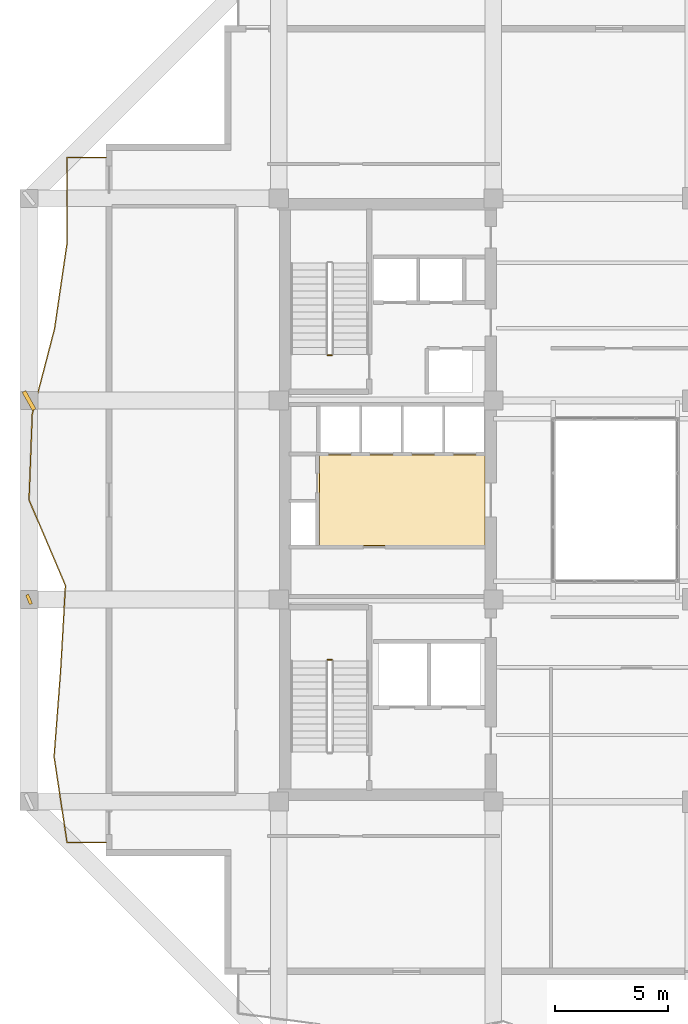
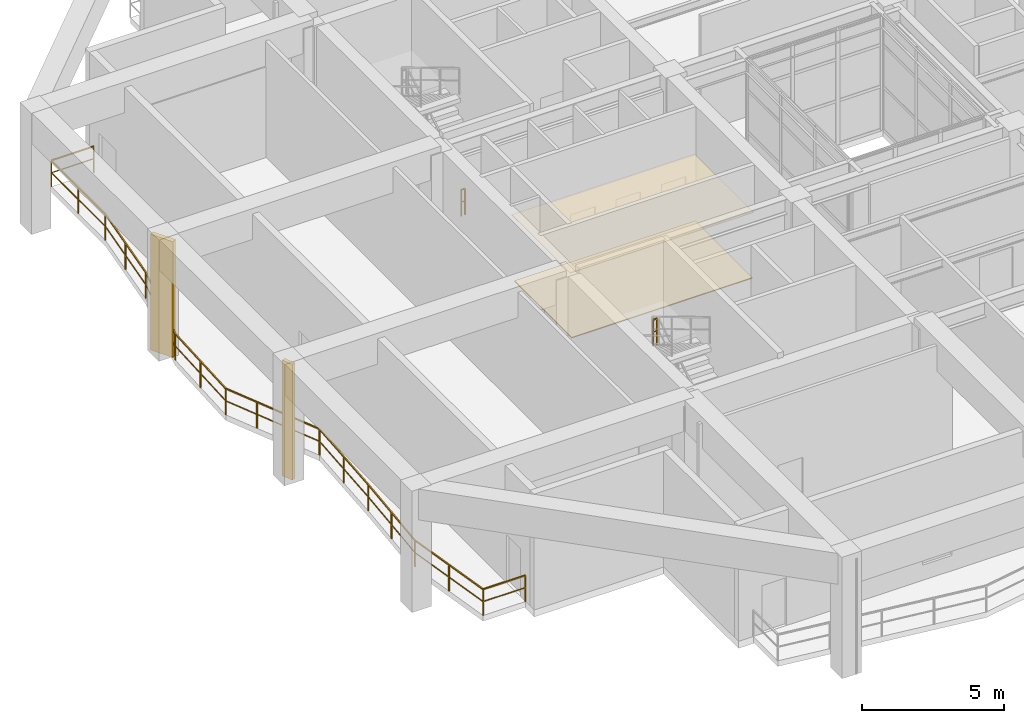
# One storey, part 10 of 13: 3 railings, 2 coverings, 2 shading devices.
"""IFC4 building model written with IfcOpenShell, lengths in metres."""

import ifcopenshell
import ifcopenshell.guid

model = None  # the IFC model being written
_history = None  # IfcOwnerHistory: only IFC2X3 demands one
_inside = {}  # id of a spatial element -> (the spatial element, [elements in it])
_under = {}  # id of a project, library or spatial element -> (it, [spatial elements below it])
_declared = {}  # id of a project -> (the project, [libraries it declares])
_typed = {}  # id of a type object -> (the type object, [elements of that type])
_made_of = {}  # id of a material, layer set ... -> (it, [elements and type objects made of it])


def new_model(schema):
    """Start an empty IFC model of exactly this schema.

    Asked for "IFC4X3", IfcOpenShell would pick the latest addendum, in which some entities
    have other attributes; the version numbers below select the first issue.
    IFC2X3 requires an IfcOwnerHistory on every rooted entity: one is made here for all.
    """
    global model, _history
    if schema == "IFC4X3":
        model = ifcopenshell.file(schema_version=(4, 3, 0, 0))
    else:
        model = ifcopenshell.file(schema=schema)
    _inside.clear()
    _under.clear()
    _declared.clear()
    _typed.clear()
    _made_of.clear()
    _history = None
    if model.schema == "IFC2X3":
        org = make("IfcOrganization", Name="unknown")
        user = make(
            "IfcPersonAndOrganization",
            ThePerson=make("IfcPerson", FamilyName="unknown"),
            TheOrganization=org,
        )
        app = make(
            "IfcApplication",
            ApplicationDeveloper=org,
            Version="unknown",
            ApplicationFullName="unknown",
            ApplicationIdentifier="unknown",
        )
        _history = make(
            "IfcOwnerHistory",
            OwningUser=user,
            OwningApplication=app,
            ChangeAction="ADDED",
            CreationDate=0,
        )
    return model


def make(cls, **values):
    """One entity of the class cls with the attributes given. An attribute that is None is left unset."""
    return model.create_entity(
        cls, **{name: value for name, value in values.items() if value is not None}
    )


def rooted(cls, **values):
    """An entity with a GlobalId (a new one), such as an element, a storey or a relation."""
    return make(cls, GlobalId=ifcopenshell.guid.new(), OwnerHistory=_history, **values)


def si_unit(unit_type, name, prefix=None):
    """IfcSIUnit, for example si_unit("LENGTHUNIT", "METRE", prefix="MILLI")."""
    return make("IfcSIUnit", UnitType=unit_type, Prefix=prefix, Name=name)


def assignment(units):
    """IfcUnitAssignment: the units of a project."""
    return None if units is None else make("IfcUnitAssignment", Units=units)


def point(xyz):
    """IfcCartesianPoint."""
    return None if xyz is None else make("IfcCartesianPoint", Coordinates=xyz)


def direction(xyz):
    """IfcDirection."""
    return None if xyz is None else make("IfcDirection", DirectionRatios=xyz)


def frame(location, z_axis=None, x_axis=None):
    """IfcAxis2Placement3D, a coordinate frame: its origin and axes. An axis left out is left unset."""
    return make(
        "IfcAxis2Placement3D",
        Location=point(location),
        Axis=direction(z_axis),
        RefDirection=direction(x_axis),
    )


def frame_2d(location, x_axis=None):
    """IfcAxis2Placement2D, a coordinate frame in the plane: its origin and x axis."""
    return make(
        "IfcAxis2Placement2D", Location=point(location), RefDirection=direction(x_axis)
    )


def origin():
    """The frame at (0, 0, 0) with its axes left unset."""
    return frame((0.0, 0.0, 0.0))


def origin_2d():
    """The frame at (0, 0) in the plane with its x axis left unset."""
    return frame_2d((0.0, 0.0))


def place(relative_to, where):
    """IfcLocalPlacement: puts the frame where relative to a parent placement (None: the world)."""
    return make(
        "IfcLocalPlacement", PlacementRelTo=relative_to, RelativePlacement=where
    )


def context(
    kind, dimensions, precision=None, world=None, true_north=None, identifier=None
):
    """IfcGeometricRepresentationContext, for example the 3D "Model" context."""
    return make(
        "IfcGeometricRepresentationContext",
        ContextIdentifier=identifier,
        ContextType=kind,
        CoordinateSpaceDimension=dimensions,
        Precision=precision,
        WorldCoordinateSystem=world,
        TrueNorth=true_north,
    )


def subcontext(parent, identifier, kind, view, scale=None):
    """IfcGeometricRepresentationSubContext, for example "Body" below "Model"."""
    return make(
        "IfcGeometricRepresentationSubContext",
        ContextIdentifier=identifier,
        ContextType=kind,
        ParentContext=parent,
        TargetScale=scale,
        TargetView=view,
    )


def project(units=None, contexts=None):
    """IfcProject with its units and contexts."""
    return rooted(
        "IfcProject",
        Name="project",
        RepresentationContexts=contexts,
        UnitsInContext=assignment(units),
    )


def spatial(cls, under=None, at=None, **own):
    """A site, building, storey or space (cls), placed at a placement, below another one or the project."""
    s = rooted(cls, ObjectPlacement=at, **own)
    if under is not None:
        _under.setdefault(under.id(), (under, []))[1].append(s)
    return s


def polyline(points):
    """IfcPolyline through the points."""
    return make("IfcPolyline", Points=[point(p) for p in points])


def profile(cls, at=None, kind="AREA", **sizes):
    """A parametric profile (cls). Its sizes go by their IFC names, for example OverallWidth=200.0."""
    return make(cls, ProfileType=kind, Position=at, **sizes)


def rectangle(**sizes):
    """IfcRectangleProfileDef."""
    return profile("IfcRectangleProfileDef", **sizes)


def outline(outer, holes=None, kind="AREA"):
    """IfcArbitraryClosedProfileDef: a profile drawn as a closed curve; with holes, ...WithVoids."""
    if holes is None:
        return make("IfcArbitraryClosedProfileDef", ProfileType=kind, OuterCurve=outer)
    return make(
        "IfcArbitraryProfileDefWithVoids",
        ProfileType=kind,
        OuterCurve=outer,
        InnerCurves=holes,
    )


def extrude(swept, where, along, depth):
    """IfcExtrudedAreaSolid: the profile swept, set in the frame where, extruded along a direction by depth."""
    return make(
        "IfcExtrudedAreaSolid",
        SweptArea=swept,
        Position=where,
        ExtrudedDirection=direction(along),
        Depth=depth,
    )


def shape(context_of_items, identifier, shape_type, items):
    """IfcShapeRepresentation: the items that make up one representation, for example the "Body"."""
    return make(
        "IfcShapeRepresentation",
        ContextOfItems=context_of_items,
        RepresentationIdentifier=identifier,
        RepresentationType=shape_type,
        Items=items,
    )


def material(Name=None, Category=None):
    """IfcMaterial."""
    return make("IfcMaterial", Name=Name, Category=Category)


def layer(
    of_material, thickness, ventilated=None, Name=None, Category=None, Priority=None
):
    """IfcMaterialLayer: one layer of a wall or slab, of a material (None: an air gap)."""
    return make(
        "IfcMaterialLayer",
        Material=of_material,
        LayerThickness=thickness,
        IsVentilated=ventilated,
        Name=Name,
        Category=Category,
        Priority=Priority,
    )


def layer_set(layers, Name=None):
    """IfcMaterialLayerSet."""
    return make("IfcMaterialLayerSet", MaterialLayers=layers, LayerSetName=Name)


def made_of(thing, what):
    """Note that an element or type object is made of a material, layer set ...; save() writes the relation."""
    if what is not None:
        _made_of.setdefault(what.id(), (what, []))[1].append(thing)
    return thing


def type_object(cls, material=None, **own):
    """A type object (cls), such as IfcWallType, which elements share."""
    return made_of(rooted(cls, **own), material)


def element(
    cls,
    number,
    at=None,
    inside=None,
    cuts=None,
    type_object=None,
    material=None,
    context=None,
    identifier="Body",
    shape_type=None,
    held_by="IfcProductDefinitionShape",
    body=None,
    shapes=None,
    **own,
):
    """One element of the class cls, such as IfcWall. Its Tag is "e" and its number.

    at: its placement. inside: the storey or other place that contains it. cuts: it is an
    opening in that element (IfcRelVoidsElement). A single representation is given by context,
    identifier, shape_type and body (its items); several are given by shapes. held_by: the class
    of the entity that holds the representations. save() writes the other relations.
    """
    e = rooted(cls, Tag="e%d" % number, ObjectPlacement=at, **own)
    if body is not None:
        shapes = [shape(context, identifier, shape_type, body)]
    if shapes is not None:
        e.Representation = make(held_by, Representations=shapes)
    if inside is not None:
        _inside.setdefault(inside.id(), (inside, []))[1].append(e)
    if cuts is not None:
        rooted(
            "IfcRelVoidsElement", RelatingBuildingElement=cuts, RelatedOpeningElement=e
        )
    if type_object is not None:
        _typed.setdefault(type_object.id(), (type_object, []))[1].append(e)
    return made_of(e, material)


def aggregate(whole, parts):
    """IfcRelAggregates: a whole, such as a stair, and the parts it consists of."""
    return rooted("IfcRelAggregates", RelatingObject=whole, RelatedObjects=parts)


def save(model, path):
    """Write the relations noted so far, then the file.

    IfcRelAggregates (storeys below a building ...), IfcRelContainedInSpatialStructure (elements
    in a storey), IfcRelDefinesByType, IfcRelAssociatesMaterial and IfcRelDeclares: one each for
    every whole, place, type object, material and project.
    """
    for whole, parts in _under.values():
        aggregate(whole, parts)
    for where, things in _inside.values():
        rooted(
            "IfcRelContainedInSpatialStructure",
            RelatedElements=things,
            RelatingStructure=where,
        )
    for kind, things in _typed.values():
        rooted("IfcRelDefinesByType", RelatedObjects=things, RelatingType=kind)
    for what, things in _made_of.values():
        rooted("IfcRelAssociatesMaterial", RelatedObjects=things, RelatingMaterial=what)
    for by, libraries in _declared.values():
        rooted("IfcRelDeclares", RelatingContext=by, RelatedDefinitions=libraries)
    model.write(path)


model = new_model("IFC4")

# Units and contexts
model_context = context("Model", 3, precision=1e-05, world=origin(), true_north=direction((0.0, 1.0)))
body_context = subcontext(model_context, "Body", "Model", "MODEL_VIEW")
ifc_project = project(units=[si_unit("LENGTHUNIT", "METRE"), si_unit("AREAUNIT", "SQUARE_METRE"), si_unit("VOLUMEUNIT", "CUBIC_METRE"), si_unit("PLANEANGLEUNIT", "RADIAN"), si_unit("MASSUNIT", "GRAM", prefix="KILO")], contexts=[model_context])

# Site, building, storey
site_placement = place(None, origin())
site = spatial("IfcSite", under=ifc_project, at=site_placement, CompositionType="ELEMENT")
building_placement = place(site_placement, origin())
building = spatial("IfcBuilding", under=site, at=building_placement, Name="Kundavana Baori Tower", CompositionType="ELEMENT")
storey_placement = place(building_placement, frame((0.0, 0.0, 208.89990234375)))
storey = spatial("IfcBuildingStorey", under=building, at=storey_placement, Name="L51", CompositionType="ELEMENT", Elevation=208.89990234375)

# Coverings
ifc_material_1 = material(Name="Honed Kota Stone and Terrazzo Flooring", Category="masonry")
ifc_layer_1 = layer(ifc_material_1, 0.0400390625, Name="COV-FLR-TERR-40")
ifc_layer_set_1 = layer_set([ifc_layer_1], Name="Honed Kota Stone and Terrazzo Flooring")
covering_type_1 = type_object("IfcCoveringType", Name="COV-FLR-TERR-40", PredefinedType="FLOORING", material=ifc_layer_set_1)
covering_1_placement = place(storey_placement, origin())
element("IfcCovering", 1, at=covering_1_placement, inside=storey, type_object=covering_type_1, Name="L51 Core Lift Lobby Kota Stone Flooring", PredefinedType="FLOORING", context=body_context, shape_type="SweptSolid", body=[
    extrude(outline(polyline([(17.25, 26.580078125), (24.580078125, 26.580078125), (24.580078125, 30.60009765625), (17.25, 30.60009765625), (17.25, 26.580078125)])), origin(), (0.0, 0.0, 1.0), 0.0400390625),
])
ifc_material_2 = material(Name="Perforated Acoustic Mineral Fibre Ceiling Board")
ifc_layer_2 = layer(ifc_material_2, 0.02490234375, Name="COV-INT-CEIL")
ifc_layer_set_2 = layer_set([ifc_layer_2], Name="Perforated Acoustic Mineral Fibre Ceiling Board")
covering_type_2 = type_object("IfcCoveringType", Name="COV-INT-CEIL", PredefinedType="CEILING", material=ifc_layer_set_2)
covering_2_placement = place(storey_placement, frame((0.0, 0.0, 2.85009765625)))
element("IfcCovering", 2, at=covering_2_placement, inside=storey, type_object=covering_type_2, Name="L51 Core Lift Lobby Acoustic Ceiling", PredefinedType="CEILING", context=body_context, shape_type="SweptSolid", body=[
    extrude(outline(polyline([(17.159912109375, 26.52001953125), (24.580078125, 26.52001953125), (24.580078125, 30.639892578125), (17.159912109375, 30.639892578125), (17.159912109375, 26.52001953125)])), origin(), (0.0, 0.0, 1.0), 0.02490234375),
])

# Railings
ifc_material_3 = material(Name="Architectural Patinated Bronze Metalwork")
railing_type_1 = type_object("IfcRailingType", Name="RL-BAL-1150", PredefinedType="BALUSTRADE", material=ifc_material_3)
railing_placement = place(storey_placement, frame((7.800048828125, 13.449951171875, 0.0)))
element("IfcRailing", 3, at=railing_placement, inside=storey, type_object=railing_type_1, Name="L51 Loggia Balcony Balustrade W", PredefinedType="BALUSTRADE", context=body_context, shape_type="SweptSolid", body=[
    extrude(rectangle(XDim=0.048095703125, YDim=0.048095703125, at=origin_2d()), frame((0.0, 0.0, 1.1259765625), z_axis=(-1.0, 0.0, 0.0), x_axis=(0.0, -1.0, 0.0)), (0.0, 0.0, 1.0), 1.719970703125),
    extrude(rectangle(XDim=0.03125, YDim=0.03125, at=origin_2d()), frame((0.0, 0.0, 0.597900390625), z_axis=(-1.0, 0.0, 0.0), x_axis=(0.0, -1.0, 0.0)), (0.0, 0.0, 1.0), 1.719970703125),
    extrude(rectangle(XDim=0.048095703125, YDim=0.048095703125, at=origin_2d()), frame((-1.719970703125, 0.0, 1.1259765625), z_axis=(-0.149811042356, 0.988714646189, 0.0), x_axis=(-0.988714646189, -0.149811042356, 0.0)), (0.0, 0.0, 1.0), 3.831298828125),
    extrude(rectangle(XDim=0.03125, YDim=0.03125, at=origin_2d()), frame((-1.719970703125, 0.0, 0.597900390625), z_axis=(-0.149811042356, 0.988714646189, 0.0), x_axis=(-0.988714646189, -0.149811042356, 0.0)), (0.0, 0.0, 1.0), 3.831298828125),
    extrude(rectangle(XDim=0.048095703125, YDim=0.048095703125, at=origin_2d()), frame((-2.2939453125, 3.7880859375, 1.1259765625), z_axis=(0.075791940449, 0.997123654199, 0.0), x_axis=(-0.997123654199, 0.075791940449, 0.0)), (0.0, 0.0, 1.0), 3.7978515625),
    extrude(rectangle(XDim=0.03125, YDim=0.03125, at=origin_2d()), frame((-2.2939453125, 3.7880859375, 0.597900390625), z_axis=(0.075791940449, 0.997123654199, 0.0), x_axis=(-0.997123654199, 0.075791940449, 0.0)), (0.0, 0.0, 1.0), 3.7978515625),
    extrude(rectangle(XDim=0.048095703125, YDim=0.048095703125, at=origin_2d()), frame((-2.006103515625, 7.574951171875, 1.1259765625), z_axis=(0.057216582699, 0.998361789465, 0.0), x_axis=(-0.998361789465, 0.057216582699, 0.0)), (0.0, 0.0, 1.0), 3.793212890625),
    extrude(rectangle(XDim=0.03125, YDim=0.03125, at=origin_2d()), frame((-2.006103515625, 7.574951171875, 0.597900390625), z_axis=(0.057216582699, 0.998361789465, 0.0), x_axis=(-0.998361789465, 0.057216582699, 0.0)), (0.0, 0.0, 1.0), 3.793212890625),
    extrude(rectangle(XDim=0.048095703125, YDim=0.048095703125, at=origin_2d()), frame((-1.7890625, 11.362060546875, 1.1259765625), z_axis=(-0.391376731153, 0.920230544109, 0.0), x_axis=(-0.920230544109, -0.391376731153, 0.0)), (0.0, 0.0, 1.0), 4.116455078125),
    extrude(rectangle(XDim=0.03125, YDim=0.03125, at=origin_2d()), frame((-1.7890625, 11.362060546875, 0.597900390625), z_axis=(-0.391376731153, 0.920230544109, 0.0), x_axis=(-0.920230544109, -0.391376731153, 0.0)), (0.0, 0.0, 1.0), 4.116455078125),
    extrude(rectangle(XDim=0.048095703125, YDim=0.048095703125, at=origin_2d()), frame((-3.400146484375, 15.150146484375, 1.1259765625), z_axis=(0.0372284447, 0.999306781176, 0.0), x_axis=(-0.999306781176, 0.0372284447, 0.0)), (0.0, 0.0, 1.0), 3.79052734375),
    extrude(rectangle(XDim=0.03125, YDim=0.03125, at=origin_2d()), frame((-3.400146484375, 15.150146484375, 0.597900390625), z_axis=(0.0372284447, 0.999306781176, 0.0), x_axis=(-0.999306781176, 0.0372284447, 0.0)), (0.0, 0.0, 1.0), 3.79052734375),
    extrude(rectangle(XDim=0.048095703125, YDim=0.048095703125, at=origin_2d()), frame((-3.259033203125, 18.93798828125, 1.1259765625), z_axis=(0.251685278982, 0.967809134253, 0.0), x_axis=(-0.967809134253, 0.251685278982, 0.0)), (0.0, 0.0, 1.0), 3.9130859375),
    extrude(rectangle(XDim=0.03125, YDim=0.03125, at=origin_2d()), frame((-3.259033203125, 18.93798828125, 0.597900390625), z_axis=(0.251685278982, 0.967809134253, 0.0), x_axis=(-0.967809134253, 0.251685278982, 0.0)), (0.0, 0.0, 1.0), 3.9130859375),
    extrude(rectangle(XDim=0.048095703125, YDim=0.048095703125, at=origin_2d()), frame((-2.274169921875, 22.72509765625, 1.1259765625), z_axis=(0.144805273127, 0.989460172455, 0.0), x_axis=(-0.989460172455, 0.144805273127, 0.0)), (0.0, 0.0, 1.0), 3.8271484375),
    extrude(rectangle(XDim=0.03125, YDim=0.03125, at=origin_2d()), frame((-2.274169921875, 22.72509765625, 0.597900390625), z_axis=(0.144805273127, 0.989460172455, 0.0), x_axis=(-0.989460172455, 0.144805273127, 0.0)), (0.0, 0.0, 1.0), 3.8271484375),
    extrude(rectangle(XDim=0.048095703125, YDim=0.048095703125, at=origin_2d()), frame((-1.719970703125, 26.511962890625, 1.1259765625), z_axis=(0.0, 1.0, 0.0), x_axis=(-1.0, 0.0, 0.0)), (0.0, 0.0, 1.0), 3.7880859375),
    extrude(rectangle(XDim=0.03125, YDim=0.03125, at=origin_2d()), frame((-1.719970703125, 26.511962890625, 0.597900390625), z_axis=(0.0, 1.0, 0.0), x_axis=(-1.0, 0.0, 0.0)), (0.0, 0.0, 1.0), 3.7880859375),
    extrude(rectangle(XDim=0.048095703125, YDim=0.048095703125, at=origin_2d()), frame((-1.719970703125, 30.300048828125, 1.1259765625), z_axis=(1.0, 0.0, 0.0), x_axis=(0.0, 1.0, 0.0)), (0.0, 0.0, 1.0), 1.719970703125),
    extrude(rectangle(XDim=0.03125, YDim=0.03125, at=origin_2d()), frame((-1.719970703125, 30.300048828125, 0.597900390625), z_axis=(1.0, 0.0, 0.0), x_axis=(0.0, 1.0, 0.0)), (0.0, 0.0, 1.0), 1.719970703125),
    extrude(rectangle(XDim=0.0419921875, YDim=0.0419921875, at=origin_2d()), origin(), (0.0, 0.0, 1.0), 1.101806640625),
    extrude(rectangle(XDim=0.0419921875, YDim=0.0419921875, at=origin_2d()), frame((-1.719970703125, 0.0, 0.0)), (0.0, 0.0, 1.0), 1.101806640625),
    extrude(rectangle(XDim=0.0419921875, YDim=0.0419921875, at=origin_2d()), frame((-2.0068359375, 1.89404296875, 0.0)), (0.0, 0.0, 1.0), 1.101806640625),
    extrude(rectangle(XDim=0.0419921875, YDim=0.0419921875, at=origin_2d()), frame((-2.2939453125, 3.7880859375, 0.0)), (0.0, 0.0, 1.0), 1.101806640625),
    extrude(rectangle(XDim=0.0419921875, YDim=0.0419921875, at=origin_2d()), frame((-2.14990234375, 5.681640625, 0.0)), (0.0, 0.0, 1.0), 1.101806640625),
    extrude(rectangle(XDim=0.0419921875, YDim=0.0419921875, at=origin_2d()), frame((-2.006103515625, 7.574951171875, 0.0)), (0.0, 0.0, 1.0), 1.101806640625),
    extrude(rectangle(XDim=0.0419921875, YDim=0.0419921875, at=origin_2d()), frame((-1.8974609375, 9.468505859375, 0.0)), (0.0, 0.0, 1.0), 1.101806640625),
    extrude(rectangle(XDim=0.0419921875, YDim=0.0419921875, at=origin_2d()), frame((-1.7890625, 11.362060546875, 0.0)), (0.0, 0.0, 1.0), 1.101806640625),
    extrude(rectangle(XDim=0.0419921875, YDim=0.0419921875, at=origin_2d()), frame((-2.326171875, 12.624755859375, 0.0)), (0.0, 0.0, 1.0), 1.101806640625),
    extrude(rectangle(XDim=0.0419921875, YDim=0.0419921875, at=origin_2d()), frame((-2.863037109375, 13.887451171875, 0.0)), (0.0, 0.0, 1.0), 1.101806640625),
    extrude(rectangle(XDim=0.0419921875, YDim=0.0419921875, at=origin_2d()), frame((-3.400146484375, 15.150146484375, 0.0)), (0.0, 0.0, 1.0), 1.101806640625),
    extrude(rectangle(XDim=0.0419921875, YDim=0.0419921875, at=origin_2d()), frame((-3.32958984375, 17.0439453125, 0.0)), (0.0, 0.0, 1.0), 1.101806640625),
    extrude(rectangle(XDim=0.0419921875, YDim=0.0419921875, at=origin_2d()), frame((-3.259033203125, 18.93798828125, 0.0)), (0.0, 0.0, 1.0), 1.101806640625),
    extrude(rectangle(XDim=0.0419921875, YDim=0.0419921875, at=origin_2d()), frame((-2.7666015625, 20.83154296875, 0.0)), (0.0, 0.0, 1.0), 1.101806640625),
    extrude(rectangle(XDim=0.0419921875, YDim=0.0419921875, at=origin_2d()), frame((-2.274169921875, 22.72509765625, 0.0)), (0.0, 0.0, 1.0), 1.101806640625),
    extrude(rectangle(XDim=0.0419921875, YDim=0.0419921875, at=origin_2d()), frame((-1.9970703125, 24.61865234375, 0.0)), (0.0, 0.0, 1.0), 1.101806640625),
    extrude(rectangle(XDim=0.0419921875, YDim=0.0419921875, at=origin_2d()), frame((-1.719970703125, 26.511962890625, 0.0)), (0.0, 0.0, 1.0), 1.101806640625),
    extrude(rectangle(XDim=0.0419921875, YDim=0.0419921875, at=origin_2d()), frame((-1.719970703125, 28.406005859375, 0.0)), (0.0, 0.0, 1.0), 1.101806640625),
    extrude(rectangle(XDim=0.0419921875, YDim=0.0419921875, at=origin_2d()), frame((-1.719970703125, 30.300048828125, 0.0)), (0.0, 0.0, 1.0), 1.101806640625),
    extrude(rectangle(XDim=0.0419921875, YDim=0.0419921875, at=origin_2d()), frame((0.0, 30.300048828125, 0.0)), (0.0, 0.0, 1.0), 1.101806640625),
])
ifc_material_4 = material(Name="Architectural Patinated Bronze Metalwork")
railing_type_2 = type_object("IfcRailingType", Name="RL-GRD-1150", PredefinedType="GUARDRAIL", material=ifc_material_4)
for number, where, name in (
    (4, (17.7900390625, 21.530029296875, 2.60009765625), "L51 ST1 stair guard 2"),
    (5, (17.7900390625, 35.0, 0.0), "L51 ST2 stair guard 4"),
):
    element("IfcRailing", number, at=place(storey_placement, frame(where)), inside=storey, type_object=railing_type_2, Name=name, PredefinedType="GUARDRAIL", context=body_context, shape_type="SweptSolid", body=[
        extrude(rectangle(XDim=0.048095703125, YDim=0.048095703125, at=origin_2d()), frame((0.0, 0.0, 1.1259765625), z_axis=(-1.0, 0.0, 0.0), x_axis=(0.0, -1.0, 0.0)), (0.0, 0.0, 1.0), 0.16015625),
        extrude(rectangle(XDim=0.03125, YDim=0.03125, at=origin_2d()), frame((0.0, 0.0, 0.597900390625), z_axis=(-1.0, 0.0, 0.0), x_axis=(0.0, -1.0, 0.0)), (0.0, 0.0, 1.0), 0.16015625),
        extrude(rectangle(XDim=0.0419921875, YDim=0.0419921875, at=origin_2d()), origin(), (0.0, 0.0, 1.0), 1.101806640625),
        extrude(rectangle(XDim=0.0419921875, YDim=0.0419921875, at=origin_2d()), frame((-0.16015625, 0.0, 0.0)), (0.0, 0.0, 1.0), 1.101806640625),
    ])

# Shading devices
ifc_material_5 = material(Name="Red-Buff Dholpur Sandstone Cladding on Concrete C40/50", Category="masonry")
shading_device_type_1 = type_object("IfcShadingDeviceType", Name="SHD-FIN-920", PredefinedType="JALOUSIE", material=ifc_material_5)
shading_device_1_placement = place(storey_placement, frame((4.39990234375, 33.0, 0.0), z_axis=(0.0, 0.0, 1.0), x_axis=(0.872836916401, 0.488012005351, 0.0)))
element("IfcShadingDevice", 6, at=shading_device_1_placement, inside=storey, type_object=shading_device_type_1, Name="L51 Sweeping Dholpur Sandstone Facade Fin 7", PredefinedType="JALOUSIE", context=body_context, shape_type="SweptSolid", body=[
    extrude(rectangle(XDim=0.179931640625, YDim=0.919921875, at=origin_2d()), origin(), (0.0, 0.0, 1.0), 4.9599609375),
])
ifc_material_6 = material(Name="Architectural Patinated Bronze Metalwork")
shading_device_type_2 = type_object("IfcShadingDeviceType", Name="SHD-LOUV-450", PredefinedType="SHUTTER", material=ifc_material_6)
shading_device_2_placement = place(storey_placement, frame((4.39990234375, 24.199951171875, 0.0), z_axis=(0.0, 0.0, 1.0), x_axis=(0.924479510204, 0.381231734269, 0.0)))
element("IfcShadingDevice", 7, at=shading_device_2_placement, inside=storey, type_object=shading_device_type_2, Name="L51 Sweeping Dholpur Sandstone Facade Fin 6", PredefinedType="SHUTTER", context=body_context, shape_type="SweptSolid", body=[
    extrude(rectangle(XDim=0.139892578125, YDim=0.449951171875, at=origin_2d()), origin(), (0.0, 0.0, 1.0), 4.9599609375),
])

save(model, "model.ifc")
